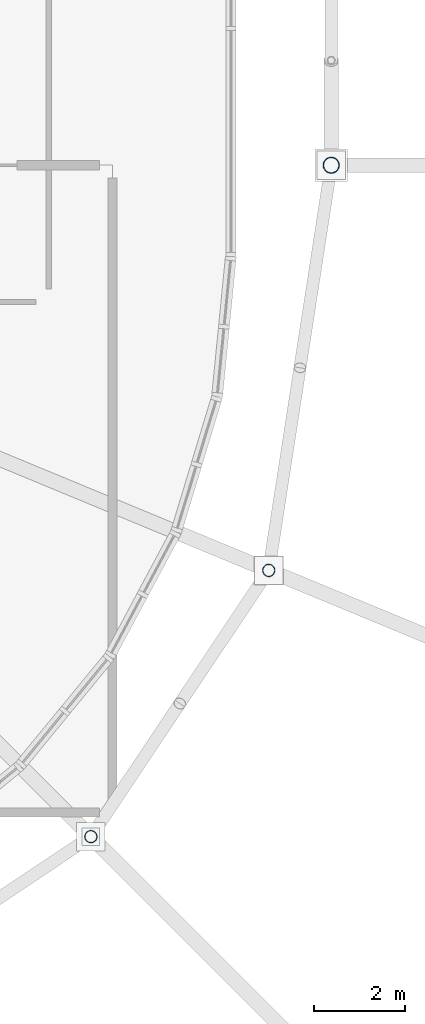
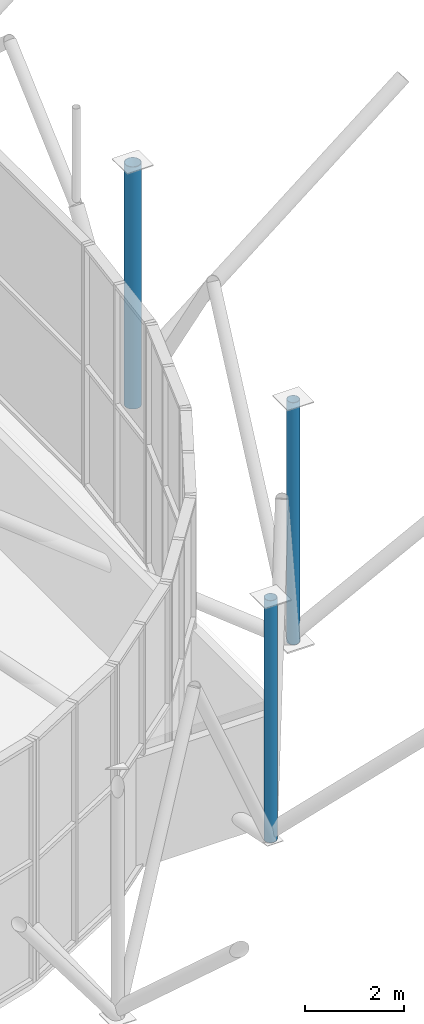
# One storey, part 12 of 109: 3 columns.
"""IFC4 building model written with IfcOpenShell, lengths in metres."""

import ifcopenshell
import ifcopenshell.guid

model = None  # the IFC model being written
_history = None  # IfcOwnerHistory: only IFC2X3 demands one
_inside = {}  # id of a spatial element -> (the spatial element, [elements in it])
_under = {}  # id of a project, library or spatial element -> (it, [spatial elements below it])
_declared = {}  # id of a project -> (the project, [libraries it declares])
_typed = {}  # id of a type object -> (the type object, [elements of that type])
_made_of = {}  # id of a material, layer set ... -> (it, [elements and type objects made of it])


def new_model(schema):
    """Start an empty IFC model of exactly this schema.

    Asked for "IFC4X3", IfcOpenShell would pick the latest addendum, in which some entities
    have other attributes; the version numbers below select the first issue.
    IFC2X3 requires an IfcOwnerHistory on every rooted entity: one is made here for all.
    """
    global model, _history
    if schema == "IFC4X3":
        model = ifcopenshell.file(schema_version=(4, 3, 0, 0))
    else:
        model = ifcopenshell.file(schema=schema)
    _inside.clear()
    _under.clear()
    _declared.clear()
    _typed.clear()
    _made_of.clear()
    _history = None
    if model.schema == "IFC2X3":
        org = make("IfcOrganization", Name="unknown")
        user = make(
            "IfcPersonAndOrganization",
            ThePerson=make("IfcPerson", FamilyName="unknown"),
            TheOrganization=org,
        )
        app = make(
            "IfcApplication",
            ApplicationDeveloper=org,
            Version="unknown",
            ApplicationFullName="unknown",
            ApplicationIdentifier="unknown",
        )
        _history = make(
            "IfcOwnerHistory",
            OwningUser=user,
            OwningApplication=app,
            ChangeAction="ADDED",
            CreationDate=0,
        )
    return model


def make(cls, **values):
    """One entity of the class cls with the attributes given. An attribute that is None is left unset."""
    return model.create_entity(
        cls, **{name: value for name, value in values.items() if value is not None}
    )


def rooted(cls, **values):
    """An entity with a GlobalId (a new one), such as an element, a storey or a relation."""
    return make(cls, GlobalId=ifcopenshell.guid.new(), OwnerHistory=_history, **values)


def si_unit(unit_type, name, prefix=None):
    """IfcSIUnit, for example si_unit("LENGTHUNIT", "METRE", prefix="MILLI")."""
    return make("IfcSIUnit", UnitType=unit_type, Prefix=prefix, Name=name)


def derived_unit(unit_type, elements):
    """IfcDerivedUnit: a product of units, each with its exponent."""
    return make(
        "IfcDerivedUnit",
        Elements=[
            make("IfcDerivedUnitElement", Unit=unit, Exponent=power)
            for unit, power in elements
        ],
        UnitType=unit_type,
    )


def assignment(units):
    """IfcUnitAssignment: the units of a project."""
    return None if units is None else make("IfcUnitAssignment", Units=units)


def point(xyz):
    """IfcCartesianPoint."""
    return None if xyz is None else make("IfcCartesianPoint", Coordinates=xyz)


def direction(xyz):
    """IfcDirection."""
    return None if xyz is None else make("IfcDirection", DirectionRatios=xyz)


def frame(location, z_axis=None, x_axis=None):
    """IfcAxis2Placement3D, a coordinate frame: its origin and axes. An axis left out is left unset."""
    return make(
        "IfcAxis2Placement3D",
        Location=point(location),
        Axis=direction(z_axis),
        RefDirection=direction(x_axis),
    )


def frame_2d(location, x_axis=None):
    """IfcAxis2Placement2D, a coordinate frame in the plane: its origin and x axis."""
    return make(
        "IfcAxis2Placement2D", Location=point(location), RefDirection=direction(x_axis)
    )


def origin():
    """The frame at (0, 0, 0) with its axes left unset."""
    return frame((0.0, 0.0, 0.0))


def origin_2d_with_axis():
    """The frame at (0, 0) in the plane with the x axis (1, 0) written out."""
    return frame_2d((0.0, 0.0), x_axis=(1.0, 0.0))


def place(relative_to, where):
    """IfcLocalPlacement: puts the frame where relative to a parent placement (None: the world)."""
    return make(
        "IfcLocalPlacement", PlacementRelTo=relative_to, RelativePlacement=where
    )


def context(
    kind, dimensions, precision=None, world=None, true_north=None, identifier=None
):
    """IfcGeometricRepresentationContext, for example the 3D "Model" context."""
    return make(
        "IfcGeometricRepresentationContext",
        ContextIdentifier=identifier,
        ContextType=kind,
        CoordinateSpaceDimension=dimensions,
        Precision=precision,
        WorldCoordinateSystem=world,
        TrueNorth=true_north,
    )


def subcontext(parent, identifier, kind, view, scale=None):
    """IfcGeometricRepresentationSubContext, for example "Body" below "Model"."""
    return make(
        "IfcGeometricRepresentationSubContext",
        ContextIdentifier=identifier,
        ContextType=kind,
        ParentContext=parent,
        TargetScale=scale,
        TargetView=view,
    )


def project(units=None, contexts=None):
    """IfcProject with its units and contexts."""
    return rooted(
        "IfcProject",
        Name="project",
        RepresentationContexts=contexts,
        UnitsInContext=assignment(units),
    )


def spatial(cls, under=None, at=None, **own):
    """A site, building, storey or space (cls), placed at a placement, below another one or the project."""
    s = rooted(cls, ObjectPlacement=at, **own)
    if under is not None:
        _under.setdefault(under.id(), (under, []))[1].append(s)
    return s


def profile(cls, at=None, kind="AREA", **sizes):
    """A parametric profile (cls). Its sizes go by their IFC names, for example OverallWidth=200.0."""
    return make(cls, ProfileType=kind, Position=at, **sizes)


def hollow_circle(**sizes):
    """IfcCircleHollowProfileDef."""
    return profile("IfcCircleHollowProfileDef", **sizes)


def extrude(swept, where, along, depth):
    """IfcExtrudedAreaSolid: the profile swept, set in the frame where, extruded along a direction by depth."""
    return make(
        "IfcExtrudedAreaSolid",
        SweptArea=swept,
        Position=where,
        ExtrudedDirection=direction(along),
        Depth=depth,
    )


def shape(context_of_items, identifier, shape_type, items):
    """IfcShapeRepresentation: the items that make up one representation, for example the "Body"."""
    return make(
        "IfcShapeRepresentation",
        ContextOfItems=context_of_items,
        RepresentationIdentifier=identifier,
        RepresentationType=shape_type,
        Items=items,
    )


def material(Name=None, Category=None):
    """IfcMaterial."""
    return make("IfcMaterial", Name=Name, Category=Category)


def material_profile(
    of_material, cross_section, Name=None, Category=None, Priority=None
):
    """IfcMaterialProfile: a cross section and its material."""
    return make(
        "IfcMaterialProfile",
        Name=Name,
        Material=of_material,
        Profile=cross_section,
        Priority=Priority,
        Category=Category,
    )


def profile_set(profiles, Name=None, composite=None):
    """IfcMaterialProfileSet."""
    return make(
        "IfcMaterialProfileSet",
        Name=Name,
        MaterialProfiles=profiles,
        CompositeProfile=composite,
    )


def made_of(thing, what):
    """Note that an element or type object is made of a material, layer set ...; save() writes the relation."""
    if what is not None:
        _made_of.setdefault(what.id(), (what, []))[1].append(thing)
    return thing


def type_object(cls, material=None, **own):
    """A type object (cls), such as IfcWallType, which elements share."""
    return made_of(rooted(cls, **own), material)


def element(
    cls,
    number,
    at=None,
    inside=None,
    cuts=None,
    type_object=None,
    material=None,
    context=None,
    identifier="Body",
    shape_type=None,
    held_by="IfcProductDefinitionShape",
    body=None,
    shapes=None,
    **own,
):
    """One element of the class cls, such as IfcWall. Its Tag is "e" and its number.

    at: its placement. inside: the storey or other place that contains it. cuts: it is an
    opening in that element (IfcRelVoidsElement). A single representation is given by context,
    identifier, shape_type and body (its items); several are given by shapes. held_by: the class
    of the entity that holds the representations. save() writes the other relations.
    """
    e = rooted(cls, Tag="e%d" % number, ObjectPlacement=at, **own)
    if body is not None:
        shapes = [shape(context, identifier, shape_type, body)]
    if shapes is not None:
        e.Representation = make(held_by, Representations=shapes)
    if inside is not None:
        _inside.setdefault(inside.id(), (inside, []))[1].append(e)
    if cuts is not None:
        rooted(
            "IfcRelVoidsElement", RelatingBuildingElement=cuts, RelatedOpeningElement=e
        )
    if type_object is not None:
        _typed.setdefault(type_object.id(), (type_object, []))[1].append(e)
    return made_of(e, material)


def aggregate(whole, parts):
    """IfcRelAggregates: a whole, such as a stair, and the parts it consists of."""
    return rooted("IfcRelAggregates", RelatingObject=whole, RelatedObjects=parts)


def save(model, path):
    """Write the relations noted so far, then the file.

    IfcRelAggregates (storeys below a building ...), IfcRelContainedInSpatialStructure (elements
    in a storey), IfcRelDefinesByType, IfcRelAssociatesMaterial and IfcRelDeclares: one each for
    every whole, place, type object, material and project.
    """
    for whole, parts in _under.values():
        aggregate(whole, parts)
    for where, things in _inside.values():
        rooted(
            "IfcRelContainedInSpatialStructure",
            RelatedElements=things,
            RelatingStructure=where,
        )
    for kind, things in _typed.values():
        rooted("IfcRelDefinesByType", RelatedObjects=things, RelatingType=kind)
    for what, things in _made_of.values():
        rooted("IfcRelAssociatesMaterial", RelatedObjects=things, RelatingMaterial=what)
    for by, libraries in _declared.values():
        rooted("IfcRelDeclares", RelatingContext=by, RelatedDefinitions=libraries)
    model.write(path)


model = new_model("IFC4")

# Units and contexts
model_context = context("Model", 3, precision=1e-05, world=origin(), true_north=direction((0.0, 1.0)))
body_context = subcontext(model_context, "Body", "Model", "MODEL_VIEW")
ifc_project = project(units=[si_unit("LENGTHUNIT", "METRE"), si_unit("AREAUNIT", "SQUARE_METRE"), si_unit("VOLUMEUNIT", "CUBIC_METRE"), si_unit("PLANEANGLEUNIT", "RADIAN"), si_unit("MASSUNIT", "GRAM", prefix="KILO"), derived_unit("THERMALTRANSMITTANCEUNIT", [(si_unit("POWERUNIT", "WATT"), 1), (si_unit("LENGTHUNIT", "METRE"), -2), (si_unit("THERMODYNAMICTEMPERATUREUNIT", "KELVIN"), -1)])], contexts=[model_context])

# Site, building, storey
site_placement = place(None, origin())
site = spatial("IfcSite", under=ifc_project, at=site_placement, CompositionType="ELEMENT")
building_placement = place(site_placement, origin())
building = spatial("IfcBuilding", under=site, at=building_placement, Name="Cinnabar Yard Market Hall", CompositionType="ELEMENT")
storey_placement = place(building_placement, frame((0.0, 0.0, 8.39990234375)))
storey = spatial("IfcBuildingStorey", under=building, at=storey_placement, Name="L02", CompositionType="ELEMENT", Elevation=8.39990234375)

# Columns
ifc_material = material(Name="Spotted-gum glulam-clad steel Grade 350 (350 MPa)", Category="steel")
ifc_material_profile_1 = material_profile(ifc_material, hollow_circle(Radius=0.177734375, WallThickness=0.0126953125, at=origin_2d_with_axis()), Name="355.6x12.7CHS")
ifc_profile_set_1 = profile_set([ifc_material_profile_1], Name="Spotted-gum glulam-clad steel Grade 350 (350 MPa)")
column_type_1 = type_object("IfcColumnType", Name="COL-C02E", PredefinedType="COLUMN", material=ifc_profile_set_1)
column_placement = place(storey_placement, frame((166.0, 34.0, 0.0), z_axis=(0.0, 0.0, 1.0), x_axis=(1.0, 0.0, 0.0)))
element("IfcColumn", 1, at=column_placement, inside=storey, type_object=column_type_1, Name="Tree Column V1E-01 L02", PredefinedType="COLUMN", context=body_context, shape_type="SweptSolid", body=[
    extrude(hollow_circle(Radius=0.177734375, WallThickness=0.0126953125, at=origin_2d_with_axis()), origin(), (0.0, 0.0, 1.0), 6.0),
])
ifc_material_profile_2 = material_profile(ifc_material, hollow_circle(Radius=0.136474609375, WallThickness=0.00927734375, at=origin_2d_with_axis()), Name="273.1x9.3CHS")
ifc_profile_set_2 = profile_set([ifc_material_profile_2], Name="Spotted-gum glulam-clad steel Grade 350 (350 MPa)")
column_type_2 = type_object("IfcColumnType", Name="COL-C04E", PredefinedType="COLUMN", material=ifc_profile_set_2)
for number, where, z_axis, x_axis, name in (
    (2, (160.727783203125, 19.272216796875, 0.0), (0.0, 0.0, 1.0), (1.0, 0.0, 0.0), "Tree Column V1C-SE4 L02"),
    (3, (164.6298828125, 25.11181640625, 0.0), (0.0, 0.0, 1.0), (1.0, 0.0, 0.0), "Tree Column V1C-SE6 L02"),
):
    element("IfcColumn", number, at=place(storey_placement, frame(where, z_axis=z_axis, x_axis=x_axis)), inside=storey, type_object=column_type_2, Name=name, PredefinedType="COLUMN", context=body_context, shape_type="SweptSolid", body=[
        extrude(hollow_circle(Radius=0.136474609375, WallThickness=0.00927734375, at=origin_2d_with_axis()), origin(), (0.0, 0.0, 1.0), 6.0),
    ])

save(model, "model.ifc")
